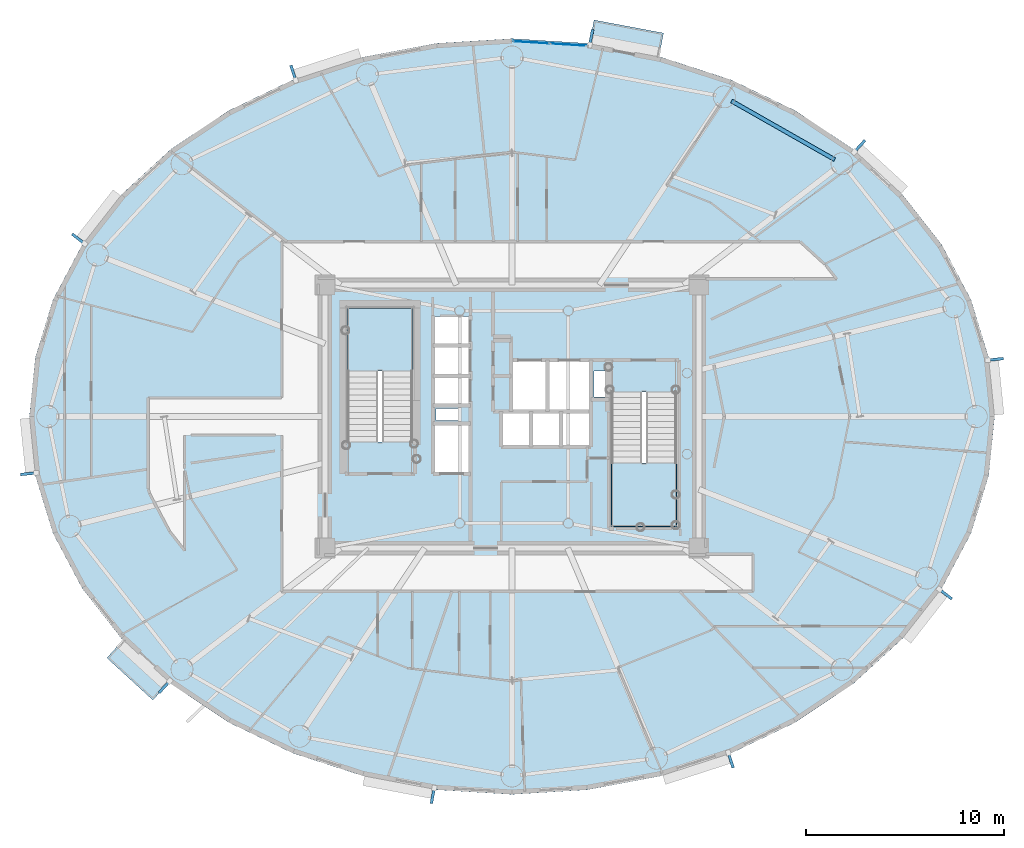
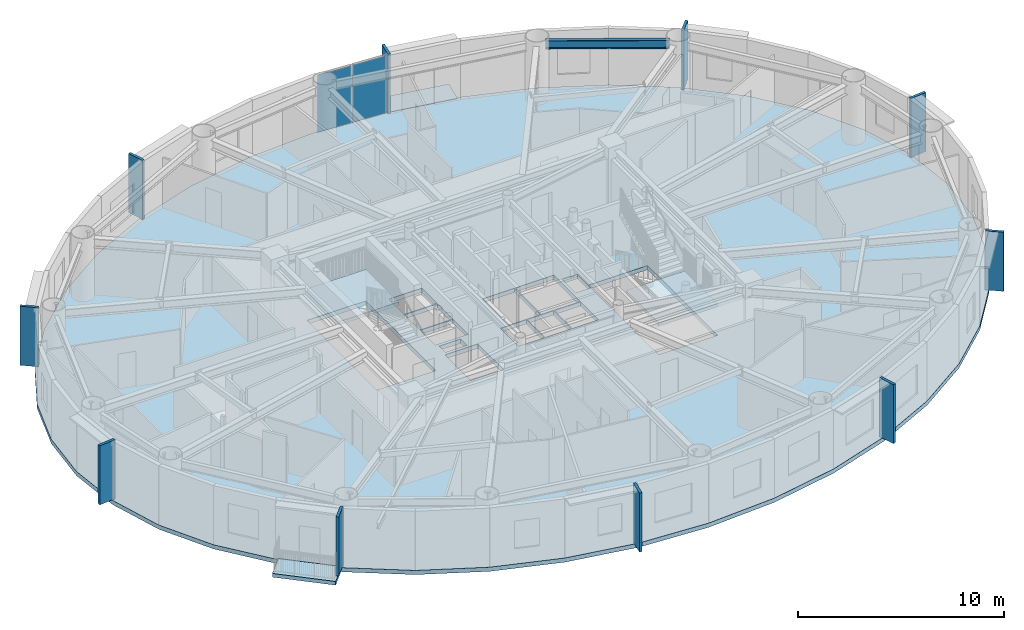
# One storey, part 5 of 20: 12 plates, 5 slabs, 1 beam, 3 elements without a shape of their own.
"""IFC4 building model written with IfcOpenShell, lengths in metres."""

from ifc_helpers import new_model, si_unit, direction, frame, origin, origin_2d, place, context, subcontext, project, spatial, polyline, rectangle, i_section, outline, extrude, source, transform, mapped, material, layer, layer_set, material_profile, profile_set, type_object, element, aggregate, save


model = new_model("IFC4")

# Units and contexts
model_context = context("Model", 3, precision=1e-05, world=origin(), true_north=direction((0.0, 1.0)))
body_context = subcontext(model_context, "Body", "Model", "MODEL_VIEW")
ifc_project = project(units=[si_unit("LENGTHUNIT", "METRE"), si_unit("AREAUNIT", "SQUARE_METRE"), si_unit("VOLUMEUNIT", "CUBIC_METRE"), si_unit("PLANEANGLEUNIT", "RADIAN"), si_unit("MASSUNIT", "GRAM", prefix="KILO")], contexts=[model_context])

# Site, building, storey
site_placement = place(None, origin())
site = spatial("IfcSite", under=ifc_project, at=site_placement, CompositionType="ELEMENT")
building_placement = place(site_placement, origin())
building = spatial("IfcBuilding", under=site, at=building_placement, Name="Linh Dai School and Residence Tower", CompositionType="ELEMENT")
storey_placement = place(building_placement, frame((0.0, 0.0, 232.800048828125)))
storey = spatial("IfcBuildingStorey", under=building, at=storey_placement, Name="L57", CompositionType="ELEMENT", Elevation=232.800048828125)

# Beam
ifc_material_1 = material(Name="Structural Steel S355JR", Category="steel")
ifc_material_profile = material_profile(ifc_material_1, i_section(OverallWidth=0.199951171875, OverallDepth=0.5, WebThickness=0.01025390625, FlangeThickness=0.01611328125, FilletRadius=0.02099609375, at=origin_2d()), Name="IPE 500")
ifc_profile_set = profile_set([ifc_material_profile], Name="Structural Steel S355JR")
beam_type = type_object("IfcBeamType", Name="BM-RB50", PredefinedType="BEAM", material=ifc_profile_set)
beam_placement = place(storey_placement, frame((52.318115234375, 39.988525390625, 3.25), z_axis=(-0.869297314463, 0.494289570058, 0.0), x_axis=(-0.494289570058, -0.869297314463, 0.0)))
element("IfcBeam", 1, at=beam_placement, inside=storey, type_object=beam_type, Name="L57 Perimeter Elliptical Ring Beam 03", PredefinedType="BEAM", context=body_context, shape_type="SweptSolid", body=[
    extrude(i_section(OverallWidth=0.199951171875, OverallDepth=0.5, WebThickness=0.01025390625, FlangeThickness=0.01611328125, FilletRadius=0.02099609375, at=origin_2d()), origin(), (0.0, 0.0, 1.0), 6.003173828125),
])

# Slabs
ifc_material_2 = material(Name="Concrete B45 (C35/45)", Category="concrete")
ifc_layer_1 = layer(ifc_material_2, 0.219970703125)
ifc_layer_set_1 = layer_set([ifc_layer_1], Name="Concrete B45 (C35/45)")
slab_type_1 = type_object("IfcSlabType", Name="SLB-BALC-220", PredefinedType="FLOOR", material=ifc_layer_set_1)
slab_1_placement = place(storey_placement, frame((0.0, 0.0, -0.219970703125)))
element("IfcSlab", 2, at=slab_1_placement, inside=storey, type_object=slab_type_1, Name="L57 Sliding Balcony Slab 09", PredefinedType="FLOOR", context=body_context, shape_type="SweptSolid", body=[
    extrude(outline(polyline([(39.908203125, 45.771484375), (43.419189453125, 45.111572265625), (43.659423828125, 46.38916015625), (40.1484375, 47.049072265625), (39.908203125, 45.771484375)])), origin(), (0.0, 0.0, 1.0), 0.219970703125),
])
slab_2_placement = place(storey_placement, frame((0.0, 0.0, -0.219970703125)))
element("IfcSlab", 3, at=slab_2_placement, inside=storey, type_object=slab_type_1, Name="L57 Sliding Balcony Slab 25", PredefinedType="FLOOR", context=body_context, shape_type="SweptSolid", body=[
    extrude(outline(polyline([(18.719482421875, 13.62353515625), (16.39501953125, 15.754638671875), (15.516357421875, 14.79638671875), (17.841064453125, 12.665283203125), (18.719482421875, 13.62353515625)])), origin(), (0.0, 0.0, 1.0), 0.219970703125),
])
ifc_layer_2 = layer(ifc_material_2, 0.25)
ifc_layer_set_2 = layer_set([ifc_layer_2], Name="Concrete B45 (C35/45)")
slab_type_2 = type_object("IfcSlabType", Name="SLB-FLR250", PredefinedType="FLOOR", material=ifc_layer_set_2)
slab_3_placement = place(storey_placement, frame((0.0, 0.0, -0.25)))
element("IfcSlab", 4, at=slab_3_placement, inside=storey, type_object=slab_type_2, Name="L57 Composite Structural Floor Slab", PredefinedType="FLOOR", context=body_context, shape_type="SweptSolid", body=[
    extrude(outline(polyline([(60.39990234375, 27.0), (60.099609375, 29.98876953125), (59.205810546875, 32.90380859375), (57.740478515625, 35.673583984375), (55.739990234375, 38.229736328125), (53.25341796875, 40.50927734375), (50.342041015625, 42.456298828125), (47.077392578125, 44.022705078125), (43.5400390625, 45.169921875), (39.81689453125, 45.869873046875), (36.0, 46.10498046875), (32.18310546875, 45.869873046875), (28.4599609375, 45.169921875), (24.922607421875, 44.022705078125), (21.657958984375, 42.456298828125), (18.74658203125, 40.50927734375), (16.260009765625, 38.229736328125), (14.259521484375, 35.673583984375), (12.794189453125, 32.90380859375), (11.900390625, 29.98876953125), (11.60009765625, 27.0), (11.900390625, 24.01123046875), (12.794189453125, 21.09619140625), (14.259521484375, 18.326416015625), (16.260009765625, 15.770263671875), (18.74658203125, 13.49072265625), (21.657958984375, 11.543701171875), (24.922607421875, 9.977294921875), (28.4599609375, 8.830078125), (32.18310546875, 8.130126953125), (36.0, 7.89501953125), (39.81689453125, 8.130126953125), (43.5400390625, 8.830078125), (47.077392578125, 9.977294921875), (50.342041015625, 11.543701171875), (53.25341796875, 13.49072265625), (55.739990234375, 15.770263671875), (57.740478515625, 18.326416015625), (59.205810546875, 21.09619140625), (60.099609375, 24.01123046875), (60.39990234375, 27.0)]), holes=[polyline([(30.97998046875, 25.699951171875), (30.97998046875, 32.5), (27.679931640625, 32.5), (27.679931640625, 25.699951171875), (30.97998046875, 25.699951171875)]), polyline([(41.02001953125, 28.25), (41.02001953125, 21.449951171875), (44.320068359375, 21.449951171875), (44.320068359375, 28.25), (41.02001953125, 28.25)]), polyline([(35.97998046875, 27.280029296875), (37.77001953125, 27.280029296875), (37.77001953125, 29.820068359375), (35.97998046875, 29.820068359375), (35.97998046875, 27.280029296875)]), polyline([(32.030029296875, 24.1298828125), (33.8701171875, 24.1298828125), (33.8701171875, 26.6201171875), (32.030029296875, 26.6201171875), (32.030029296875, 24.1298828125)]), polyline([(37.830078125, 27.280029296875), (39.969970703125, 27.280029296875), (39.969970703125, 29.820068359375), (37.830078125, 29.820068359375), (37.830078125, 27.280029296875)]), polyline([(32.030029296875, 27.580078125), (33.8701171875, 27.580078125), (33.8701171875, 29.030029296875), (32.030029296875, 29.030029296875), (32.030029296875, 27.580078125)]), polyline([(32.030029296875, 29.090087890625), (33.8701171875, 29.090087890625), (33.8701171875, 30.550048828125), (32.030029296875, 30.550048828125), (32.030029296875, 29.090087890625)]), polyline([(32.030029296875, 30.610107421875), (33.8701171875, 30.610107421875), (33.8701171875, 32.070068359375), (32.030029296875, 32.070068359375), (32.030029296875, 30.610107421875)]), polyline([(35.47998046875, 25.47998046875), (36.929931640625, 25.47998046875), (36.929931640625, 27.219970703125), (35.47998046875, 27.219970703125), (35.47998046875, 25.47998046875)]), polyline([(36.989990234375, 25.47998046875), (38.449951171875, 25.47998046875), (38.449951171875, 27.219970703125), (36.989990234375, 27.219970703125), (36.989990234375, 25.47998046875)]), polyline([(38.510009765625, 25.47998046875), (39.969970703125, 25.47998046875), (39.969970703125, 27.219970703125), (38.510009765625, 27.219970703125), (38.510009765625, 25.47998046875)]), polyline([(40.14990234375, 28.0), (40.14990234375, 29.300048828125), (41.0, 29.300048828125), (41.0, 28.280029296875), (40.989990234375, 28.280029296875), (40.989990234375, 28.0), (40.14990234375, 28.0)]), polyline([(32.14990234375, 26.800048828125), (33.35009765625, 26.800048828125), (33.35009765625, 27.39990234375), (32.14990234375, 27.39990234375), (32.14990234375, 26.800048828125)])]), origin(), (0.0, 0.0, 1.0), 0.25),
])

# Stair, slab
stair_type = type_object("IfcStairType", Name="ST-DOG-1550-R1442", PredefinedType="HALF_TURN_STAIR", material=ifc_material_2)
stair_1_placement = place(storey_placement, origin())
stair_1 = element("IfcStair", 5, at=stair_1_placement, inside=storey, type_object=stair_type, Name="L57 Core Smokeproof Exit Stair ST1", PredefinedType="HALF_TURN_STAIR")
ifc_layer_3 = layer(ifc_material_2, 0.199951171875)
ifc_layer_set_3 = layer_set([ifc_layer_3], Name="Concrete B45 (C35/45)")
slab_type_3 = type_object("IfcSlabType", Name="SLB-ST-LANDING-200", PredefinedType="LANDING", material=ifc_layer_set_3)
slab_4_placement = place(storey_placement, frame((0.0, 0.0, 1.675048828125)))
slab_4 = element("IfcSlab", 6, at=slab_4_placement, type_object=slab_type_3, Name="ST1 landing 1", PredefinedType="LANDING", context=body_context, shape_type="SweptSolid", body=[
    extrude(outline(polyline([(30.97998046875, 29.300048828125), (30.97998046875, 32.5), (27.679931640625, 32.5), (27.679931640625, 29.300048828125), (30.97998046875, 29.300048828125)])), origin(), (0.0, 0.0, 1.0), 0.199951171875),
])
aggregate(stair_1, [slab_4])

stair_2_placement = place(storey_placement, origin())
stair_2 = element("IfcStair", 7, at=stair_2_placement, inside=storey, type_object=stair_type, Name="L57 Core Smokeproof Exit Stair ST2", PredefinedType="HALF_TURN_STAIR")
slab_5_placement = place(storey_placement, frame((0.0, 0.0, 1.675048828125)))
slab_5 = element("IfcSlab", 8, at=slab_5_placement, type_object=slab_type_3, Name="ST2 landing 1", PredefinedType="LANDING", context=body_context, shape_type="SweptSolid", body=[
    extrude(outline(polyline([(41.02001953125, 24.64990234375), (41.02001953125, 21.449951171875), (44.320068359375, 21.449951171875), (44.320068359375, 24.64990234375), (41.02001953125, 24.64990234375)])), origin(), (0.0, 0.0, 1.0), 0.199951171875),
])
aggregate(stair_2, [slab_5])

# Plates
ifc_material_3 = material(Name="Precast Concrete B45 (C35/45)", Category="concrete")
ifc_layer_4 = layer(ifc_material_3, 0.139892578125)
ifc_layer_set_4 = layer_set([ifc_layer_4], Name="Precast Concrete B45 (C35/45)")
plate_type_1 = type_object("IfcPlateType", Name="FIN-TC-900x140", PredefinedType="USERDEFINED", material=ifc_layer_set_4)
shared_shape_1 = source(origin(), body_context, "Body", "SweptSolid", [
    extrude(rectangle(XDim=0.89990234375, YDim=0.139892578125, at=origin_2d()), origin(), (0.0, 0.0, 1.0), 3.5),
])
for number, where, z_axis, x_axis, name in (
    (9, (60.39697265625, 29.885498046875, 0.0), (0.0, 0.0, 1.0), (0.99498620644, 0.100012244219, 0.0), "L57 Precast Terracotta Radial Fin 01"),
    (10, (53.541748046875, 40.632080078125, 0.0), (0.0, 0.0, 1.0), (0.675757574408, 0.737123938446, 0.0), "L57 Precast Terracotta Radial Fin 05"),
    (11, (39.995361328125, 46.12646484375, 0.0), (0.0, 0.0, 1.0), (0.18474448537, 0.982786586765, 0.0), "L57 Precast Terracotta Radial Fin 09"),
    (12, (24.95654296875, 44.33349609375, 0.0), (0.0, 0.0, 1.0), (-0.308501065272, 0.951223997135, 0.0), "L57 Precast Terracotta Radial Fin 13"),
    (13, (14.115234375, 35.952392578125, 0.0), (0.0, 0.0, 1.0), (-0.787486677066, 0.616331674867, 0.0), "L57 Precast Terracotta Radial Fin 17"),
    (14, (11.60302734375, 24.114501953125, 0.0), (0.0, 0.0, 1.0), (-0.99498620644, -0.100012244219, 0.0), "L57 Precast Terracotta Radial Fin 21"),
    (15, (18.458251953125, 13.367919921875, 0.0), (0.0, 0.0, 1.0), (-0.675756089102, -0.737125300096, 0.0), "L57 Precast Terracotta Radial Fin 25"),
    (16, (32.004638671875, 7.87353515625, 0.0), (0.0, 0.0, 1.0), (-0.18474448537, -0.982786586765, 0.0), "L57 Precast Terracotta Radial Fin 29"),
    (17, (47.04345703125, 9.66650390625, 0.0), (0.0, 0.0, 1.0), (0.308501065272, -0.951223997135, 0.0), "L57 Precast Terracotta Radial Fin 33"),
    (18, (57.884765625, 18.047607421875, 0.0), (0.0, 0.0, 1.0), (0.787485171888, -0.616333598027, 0.0), "L57 Precast Terracotta Radial Fin 37"),
):
    element("IfcPlate", number, at=place(storey_placement, frame(where, z_axis=z_axis, x_axis=x_axis)), inside=storey, type_object=plate_type_1, Name=name, ObjectType="RADIAL FIN", PredefinedType="USERDEFINED", context=body_context, shape_type="MappedRepresentation", body=[
        mapped(shared_shape_1, transform((0.0, 0.0, 0.0), x_axis=(1.0, 0.0, 0.0), y_axis=(0.0, 1.0, 0.0), z_axis=(0.0, 0.0, 1.0), scale=1.0)),
    ])

# Curtain wall, plates
ifc_material_4 = material(Name="Aluminium Anodised Curtain Wall", Category="aluminium")
ifc_layer_5 = layer(ifc_material_4, 0.14990234375)
ifc_layer_set_5 = layer_set([ifc_layer_5], Name="Aluminium Anodised Curtain Wall")
curtain_wall_type = type_object("IfcCurtainWallType", Name="CW-SYS-4", PredefinedType="USERDEFINED", material=ifc_layer_set_5)
curtain_wall_placement = place(storey_placement, origin())
curtain_wall = element("IfcCurtainWall", 19, at=curtain_wall_placement, inside=storey, type_object=curtain_wall_type, Name="L57 CW4 Curtain Wall 10", ObjectType="RIBBON CURTAIN WALL", PredefinedType="USERDEFINED")
ifc_material_5 = material(Name="Double Low-E Insulated Glazing", Category="glass")
ifc_layer_6 = layer(ifc_material_5, 0.02587890625)
ifc_layer_set_6 = layer_set([ifc_layer_6], Name="Double Low-E Insulated Glazing")
plate_type_2 = type_object("IfcPlateType", Name="CW-SYS-4-PAN", PredefinedType="CURTAIN_PANEL", material=ifc_layer_set_6)
shared_shape_2 = source(origin(), body_context, "Body", "SweptSolid", [
    extrude(rectangle(XDim=1.826416015625, YDim=0.02587890625, at=origin_2d()), origin(), (0.0, 0.0, 1.0), 3.39599609375),
])
plate_1_placement = place(storey_placement, frame((36.96337890625, 45.920654296875, 0.052001953125), z_axis=(0.0, 0.0, 1.0), x_axis=(0.998106809974, -0.061504437922, 0.0)))
plate_1 = element("IfcPlate", 20, at=plate_1_placement, type_object=plate_type_2, Name="CW4 panel 1.1", PredefinedType="CURTAIN_PANEL", context=body_context, shape_type="MappedRepresentation", body=[
    mapped(shared_shape_2, transform((0.0, 0.0, 0.0), x_axis=(1.0, 0.0, 0.0), y_axis=(0.0, 1.0, 0.0), z_axis=(0.0, 0.0, 1.0), scale=1.0)),
])
plate_2_placement = place(storey_placement, frame((38.838134765625, 45.80517578125, 0.052001953125), z_axis=(0.0, 0.0, 1.0), x_axis=(0.998106809974, -0.061504437922, 0.0)))
plate_2 = element("IfcPlate", 21, at=plate_2_placement, type_object=plate_type_2, Name="CW4 panel 2.1", PredefinedType="CURTAIN_PANEL", context=body_context, shape_type="MappedRepresentation", body=[
    mapped(shared_shape_2, transform((0.0, 0.0, 0.0), x_axis=(1.0, 0.0, 0.0), y_axis=(0.0, 1.0, 0.0), z_axis=(0.0, 0.0, 1.0), scale=1.0)),
])
aggregate(curtain_wall, [plate_1, plate_2])

save(model, "model.ifc")
